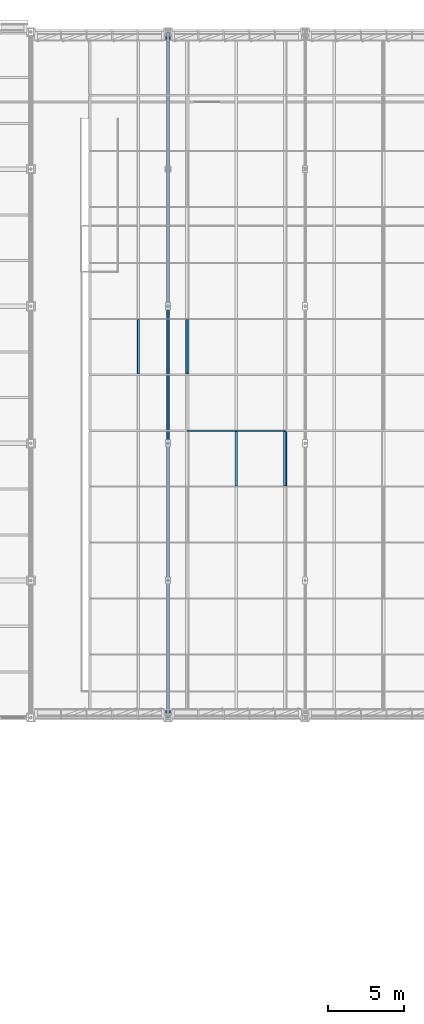
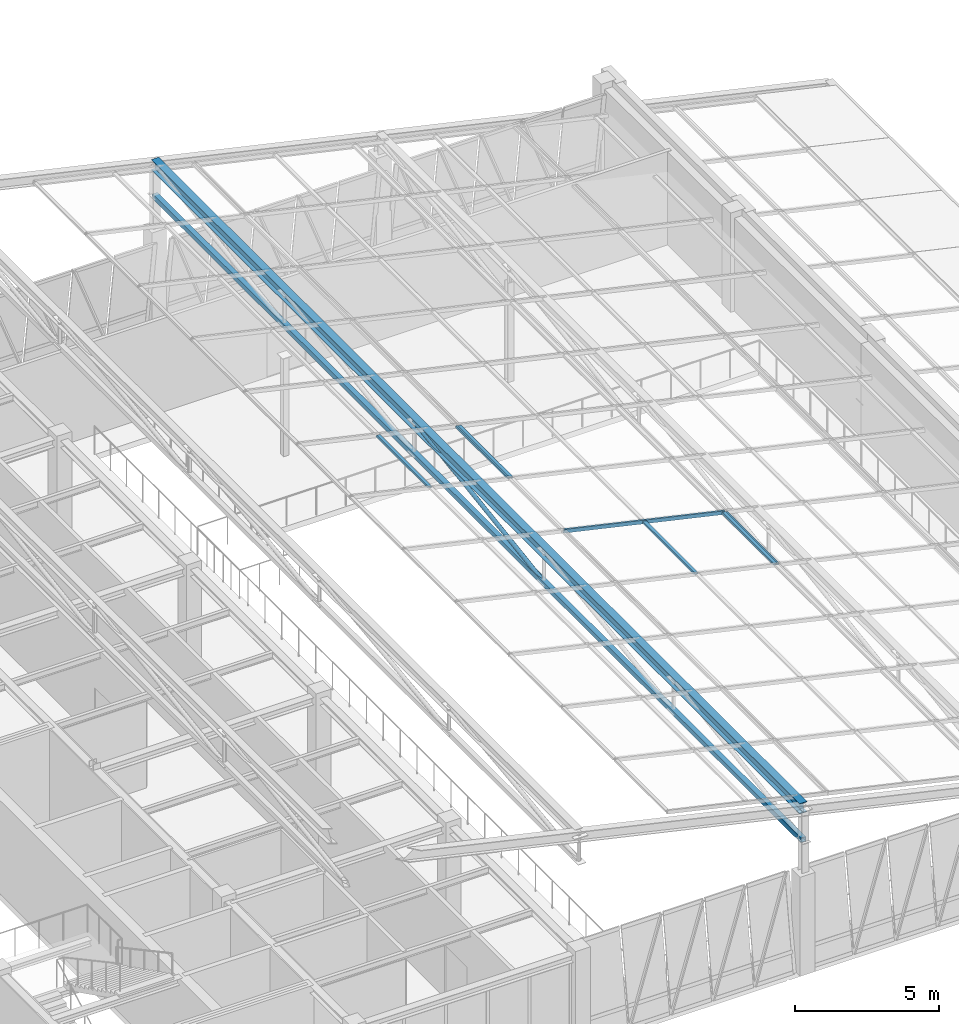
# One storey, part 71 of 130: 10 members, 3 elements without a shape of their own.
"""IFC4 building model written with IfcOpenShell, lengths in metres."""

from ifc_helpers import new_model, si_unit, direction, frame, origin, origin_2d, place, context, subcontext, project, spatial, hollow_rectangle, hollow_circle, i_section, extrude, material, material_profile, profile_set, type_object, element, aggregate, save


model = new_model("IFC4")

# Units and contexts
model_context = context("Model", 3, precision=1e-05, world=origin(), true_north=direction((0.0, 1.0)))
body_context = subcontext(model_context, "Body", "Model", "MODEL_VIEW")
ifc_project = project(units=[si_unit("LENGTHUNIT", "METRE"), si_unit("AREAUNIT", "SQUARE_METRE"), si_unit("VOLUMEUNIT", "CUBIC_METRE"), si_unit("PLANEANGLEUNIT", "RADIAN"), si_unit("MASSUNIT", "GRAM", prefix="KILO")], contexts=[model_context])

# Site, building, storey
site_placement = place(None, origin())
site = spatial("IfcSite", under=ifc_project, at=site_placement, CompositionType="ELEMENT")
building_placement = place(site_placement, origin())
building = spatial("IfcBuilding", under=site, at=building_placement, Name="Lykobir Media Centre", CompositionType="ELEMENT")
storey_placement = place(building_placement, frame((0.0, 0.0, 19.199951171875)))
storey = spatial("IfcBuildingStorey", under=building, at=storey_placement, Name="L04", CompositionType="ELEMENT", Elevation=19.199951171875)

# Member
ifc_material_1 = material(Name="Steel S355", Category="steel")
ifc_material_profile_1 = material_profile(ifc_material_1, hollow_circle(Radius=0.084228515625, WallThickness=0.010009765625, at=origin_2d()), Name="CHS 168.3x10.0")
ifc_profile_set_1 = profile_set([ifc_material_profile_1], Name="Steel S355")
member_type_1 = type_object("IfcMemberType", Name="BR-CHS168", PredefinedType="BRACE", material=ifc_profile_set_1)
member_1_placement = place(storey_placement, frame((54.0, 81.0, 5.510009765625), z_axis=(0.0, 0.988934778637, 0.148350947425), x_axis=(-1.0, 0.0, 0.0)))
element("IfcMember", 1, at=member_1_placement, inside=storey, type_object=member_type_1, Name="Diagonal brace MEM2-L04-0540-0810-0247-0540-0900-0464", PredefinedType="BRACE", context=body_context, shape_type="SweptSolid", body=[
    extrude(hollow_circle(Radius=0.084228515625, WallThickness=0.010009765625, at=origin_2d()), origin(), (0.0, 0.0, 1.0), 9.1005859375),
])

# Curtain wall, member
ifc_material_2 = material(Name="Anodized Aluminium AW-6060", Category="aluminium")
curtain_wall_type = type_object("IfcCurtainWallType", Name="CW-V6-SKY", PredefinedType="NOTDEFINED", material=ifc_material_2)
curtain_wall_1_placement = place(storey_placement, origin())
curtain_wall_1 = element("IfcCurtainWall", 2, at=curtain_wall_1_placement, inside=storey, type_object=curtain_wall_type, Name="Curtain wall CW-V6-SKY03", PredefinedType="NOTDEFINED")
ifc_material_profile_2 = material_profile(ifc_material_2, hollow_rectangle(XDim=0.074951171875, YDim=0.14990234375, WallThickness=0.00341796875, at=origin_2d()), Name="ALU TRANSOM 75x150")
ifc_profile_set_2 = profile_set([ifc_material_profile_2], Name="Anodized Aluminium AW-6060")
member_type_2 = type_object("IfcMemberType", Name="CWT-150", PredefinedType="USERDEFINED", material=ifc_profile_set_2)
member_2_placement = place(storey_placement, frame((61.728515625, 81.79248046875, 5.2646484375), z_axis=(0.0, -1.0, 0.0), x_axis=(0.221054901821, 0.0, 0.975261365164)))
member_2 = element("IfcMember", 3, at=member_2_placement, type_object=member_type_2, Name="CW-V6-SKY03 transom 8.3", ObjectType="TRANSOM", PredefinedType="USERDEFINED", context=body_context, shape_type="SweptSolid", body=[
    extrude(hollow_rectangle(XDim=0.074951171875, YDim=0.14990234375, WallThickness=0.00341796875, at=origin_2d()), origin(), (0.0, 0.0, 1.0), 3.594970703125),
])
aggregate(curtain_wall_1, [member_2])

# Curtain wall, members
curtain_wall_2_placement = place(storey_placement, origin())
curtain_wall_2 = element("IfcCurtainWall", 4, at=curtain_wall_2_placement, inside=storey, type_object=curtain_wall_type, Name="Curtain wall CW-V6-SKY04", PredefinedType="NOTDEFINED")
member_3_placement = place(storey_placement, frame((61.69189453125, 81.830078125, 5.27294921875), z_axis=(-0.975255318588, 0.0, 0.221081576721), x_axis=(0.0, -1.0, 0.0)))
member_3 = element("IfcMember", 5, at=member_3_placement, type_object=member_type_2, Name="CW-V6-SKY04 rafter transom 8", ObjectType="TRANSOM", PredefinedType="USERDEFINED", context=body_context, shape_type="SweptSolid", body=[
    extrude(hollow_rectangle(XDim=0.074951171875, YDim=0.14990234375, WallThickness=0.00341796875, at=origin_2d()), origin(), (0.0, 0.0, 1.0), 6.591552734375),
])
member_4_placement = place(storey_placement, frame((55.300048828125, 89.132568359375, 6.721923828125), z_axis=(0.0, -1.0, 0.0), x_axis=(0.221071923309, 0.0, 0.975257506879)))
member_4 = element("IfcMember", 6, at=member_4_placement, type_object=member_type_2, Name="CW-V6-SKY04 transom 6.3", ObjectType="TRANSOM", PredefinedType="USERDEFINED", context=body_context, shape_type="SweptSolid", body=[
    extrude(hollow_rectangle(XDim=0.074951171875, YDim=0.14990234375, WallThickness=0.00341796875, at=origin_2d()), origin(), (0.0, 0.0, 1.0), 3.594970703125),
])
member_5_placement = place(storey_placement, frame((61.655517578125, 81.79248046875, 5.28125), z_axis=(0.0, -1.0, 0.0), x_axis=(0.221071923309, 0.0, 0.975257506879)))
member_5 = element("IfcMember", 7, at=member_5_placement, type_object=member_type_2, Name="CW-V6-SKY04 transom 8.1", ObjectType="TRANSOM", PredefinedType="USERDEFINED", context=body_context, shape_type="SweptSolid", body=[
    extrude(hollow_rectangle(XDim=0.074951171875, YDim=0.14990234375, WallThickness=0.00341796875, at=origin_2d()), origin(), (0.0, 0.0, 1.0), 3.594970703125),
])
member_6_placement = place(storey_placement, frame((58.477783203125, 81.79248046875, 6.00146484375), z_axis=(0.0, -1.0, 0.0), x_axis=(0.221071923309, 0.0, 0.975257506879)))
member_6 = element("IfcMember", 8, at=member_6_placement, type_object=member_type_2, Name="CW-V6-SKY04 transom 8.2", ObjectType="TRANSOM", PredefinedType="USERDEFINED", context=body_context, shape_type="SweptSolid", body=[
    extrude(hollow_rectangle(XDim=0.074951171875, YDim=0.14990234375, WallThickness=0.00341796875, at=origin_2d()), origin(), (0.0, 0.0, 1.0), 3.594970703125),
])
aggregate(curtain_wall_2, [member_3, member_4, member_5, member_6])

curtain_wall_3_placement = place(storey_placement, origin())
curtain_wall_3 = element("IfcCurtainWall", 9, at=curtain_wall_3_placement, inside=storey, type_object=curtain_wall_type, Name="Curtain wall CW-V6-SKY05", PredefinedType="NOTDEFINED")
member_7_placement = place(storey_placement, frame((55.226806640625, 89.132568359375, 6.738525390625), z_axis=(0.0, -1.0, 0.0), x_axis=(0.221054901821, 0.0, 0.975261365164)))
member_7 = element("IfcMember", 10, at=member_7_placement, type_object=member_type_2, Name="CW-V6-SKY05 transom 6.1", ObjectType="TRANSOM", PredefinedType="USERDEFINED", context=body_context, shape_type="SweptSolid", body=[
    extrude(hollow_rectangle(XDim=0.074951171875, YDim=0.14990234375, WallThickness=0.00341796875, at=origin_2d()), origin(), (0.0, 0.0, 1.0), 3.594970703125),
])
member_8_placement = place(storey_placement, frame((52.049072265625, 89.132568359375, 7.458740234375), z_axis=(0.0, -1.0, 0.0), x_axis=(0.221054901821, 0.0, 0.975261365164)))
member_8 = element("IfcMember", 11, at=member_8_placement, type_object=member_type_2, Name="CW-V6-SKY05 transom 6.2", ObjectType="TRANSOM", PredefinedType="USERDEFINED", context=body_context, shape_type="SweptSolid", body=[
    extrude(hollow_rectangle(XDim=0.074951171875, YDim=0.14990234375, WallThickness=0.00341796875, at=origin_2d()), origin(), (0.0, 0.0, 1.0), 3.594970703125),
])
aggregate(curtain_wall_3, [member_7, member_8])

# Members
ifc_material_profile_3 = material_profile(ifc_material_1, i_section(OverallWidth=0.300048828125, OverallDepth=0.43994140625, WebThickness=0.011474609375, FlangeThickness=0.02099609375, at=origin_2d()), Name="HEA 450")
ifc_profile_set_3 = profile_set([ifc_material_profile_3], Name="Steel S355")
member_type_3 = type_object("IfcMemberType", Name="TC-HEA450", PredefinedType="CHORD", material=ifc_profile_set_3)
member_9_placement = place(storey_placement, frame((54.0, 63.0, 6.860107421875), z_axis=(0.0, 1.0, 0.0), x_axis=(-1.0, 0.0, 0.0)))
element("IfcMember", 12, at=member_9_placement, inside=storey, type_object=member_type_3, Name="Truss chord MEM2-L04-0540-0630-0261-0540-1080-0457", PredefinedType="CHORD", context=body_context, shape_type="SweptSolid", body=[
    extrude(i_section(OverallWidth=0.300048828125, OverallDepth=0.43994140625, WebThickness=0.011474609375, FlangeThickness=0.02099609375, at=origin_2d()), origin(), (0.0, 0.0, 1.0), 45.0),
])
ifc_material_profile_4 = material_profile(ifc_material_1, hollow_rectangle(XDim=0.199951171875, YDim=0.199951171875, WallThickness=0.010009765625, at=origin_2d()), Name="SHS 200x200x10")
ifc_profile_set_4 = profile_set([ifc_material_profile_4], Name="Steel S355")
member_type_4 = type_object("IfcMemberType", Name="TC-SHS200", PredefinedType="CHORD", material=ifc_profile_set_4)
member_10_placement = place(storey_placement, frame((54.0, 63.0, 5.510009765625), z_axis=(0.0, 1.0, 0.0), x_axis=(-1.0, 0.0, 0.0)))
element("IfcMember", 13, at=member_10_placement, inside=storey, type_object=member_type_4, Name="Truss chord MEM2-L04-0540-0630-0247-0540-1080-0458", PredefinedType="CHORD", context=body_context, shape_type="SweptSolid", body=[
    extrude(hollow_rectangle(XDim=0.199951171875, YDim=0.199951171875, WallThickness=0.010009765625, at=origin_2d()), origin(), (0.0, 0.0, 1.0), 45.0),
])

save(model, "model.ifc")
